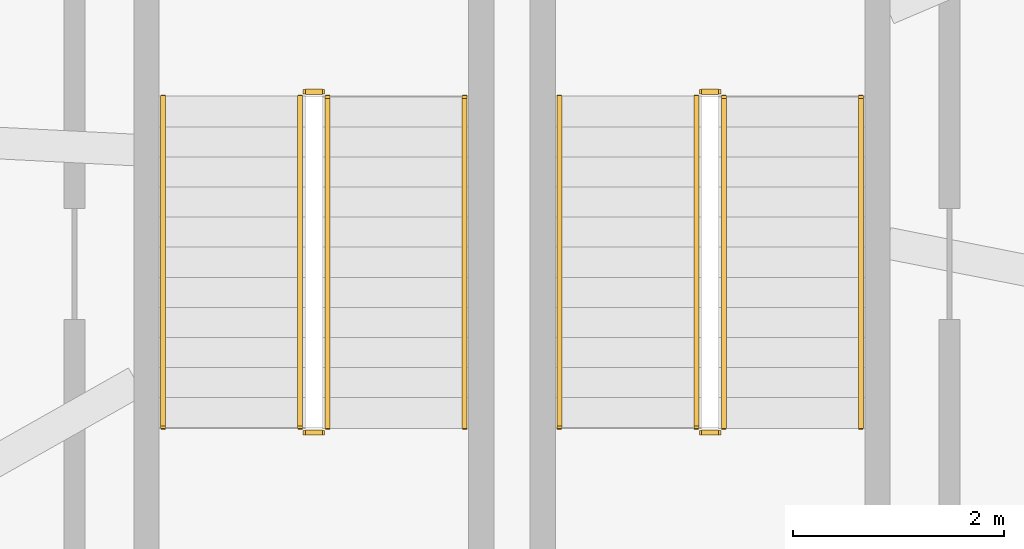
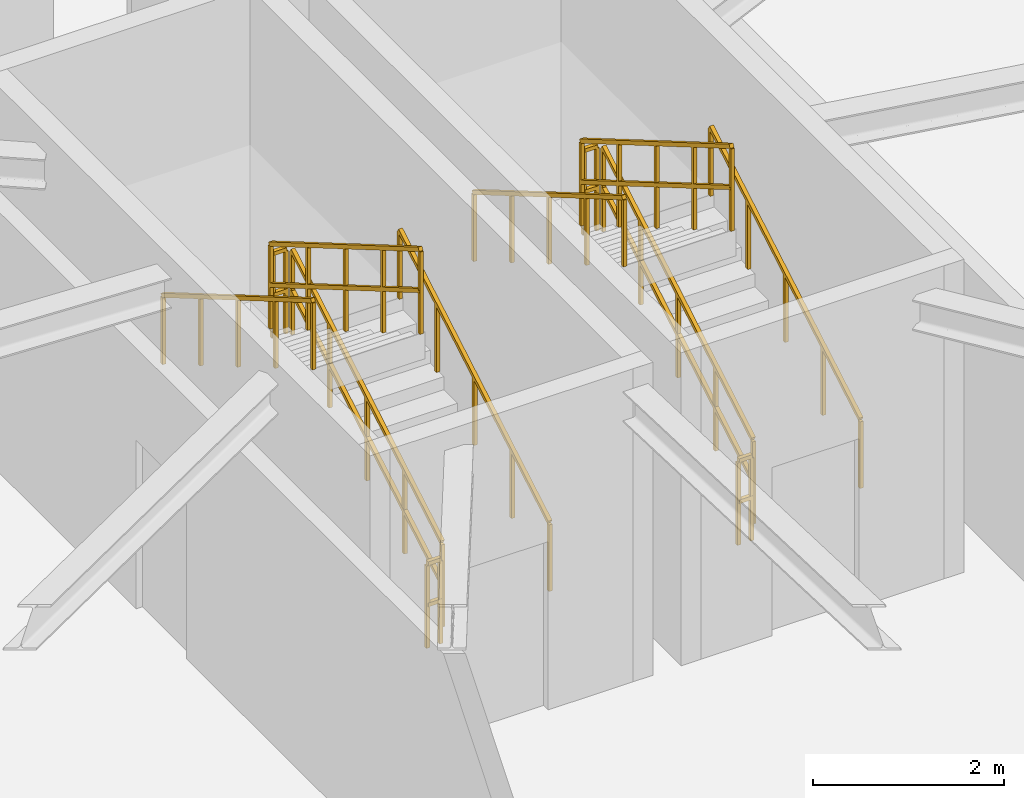
# One storey, part 11 of 11: 12 railings.
"""IFC4 building model written with IfcOpenShell, lengths in metres."""

from ifc_helpers import new_model, si_unit, direction, frame, origin, origin_2d, place, context, subcontext, project, spatial, rectangle, extrude, material, type_object, element, save


model = new_model("IFC4")

# Units and contexts
model_context = context("Model", 3, precision=1e-05, world=origin(), true_north=direction((0.0, 1.0)))
body_context = subcontext(model_context, "Body", "Model", "MODEL_VIEW")
ifc_project = project(units=[si_unit("LENGTHUNIT", "METRE"), si_unit("AREAUNIT", "SQUARE_METRE"), si_unit("VOLUMEUNIT", "CUBIC_METRE"), si_unit("PLANEANGLEUNIT", "RADIAN"), si_unit("MASSUNIT", "GRAM", prefix="KILO"), si_unit("THERMODYNAMICTEMPERATUREUNIT", "KELVIN"), si_unit("POWERUNIT", "WATT")], contexts=[model_context])

# Site, building, storey
site_placement = place(None, origin())
site = spatial("IfcSite", under=ifc_project, at=site_placement, CompositionType="ELEMENT")
building_placement = place(site_placement, origin())
building = spatial("IfcBuilding", under=site, at=building_placement, Name="Ocrelia Relay Tower", CompositionType="ELEMENT")
storey_placement = place(building_placement, frame((0.0, 0.0, 292.0)))
storey = spatial("IfcBuildingStorey", under=building, at=storey_placement, Name="L73", CompositionType="ELEMENT", Elevation=292.0)

# Railings
ifc_material_1 = material(Name="Steel S355 balustrade", Category="steel")
railing_type_1 = type_object("IfcRailingType", Name="RL-STAIR-GUARD", PredefinedType="GUARDRAIL", material=ifc_material_1)
railing_1_placement = place(storey_placement, frame((32.25, 20.64990234375, 0.166748046875)))
element("IfcRailing", 1, at=railing_1_placement, inside=storey, type_object=railing_type_1, Name="L73 ST4 stair guard 1", PredefinedType="GUARDRAIL", context=body_context, shape_type="SweptSolid", body=[
    extrude(rectangle(XDim=0.048095703125, YDim=0.048095703125, at=origin_2d()), frame((0.0, 0.0, 1.076171875), z_axis=(0.0, 0.863239559939, 0.504794475164), x_axis=(-1.0, 0.0, 0.0)), (0.0, 0.0, 1.0), 3.631591796875),
    extrude(rectangle(XDim=0.048095703125, YDim=0.048095703125, at=origin_2d()), frame((0.0, 0.0, 0.550048828125), z_axis=(0.0, 0.863239559939, 0.504794475164), x_axis=(-1.0, 0.0, 0.0)), (0.0, 0.0, 1.0), 3.631591796875),
    extrude(rectangle(XDim=0.0419921875, YDim=0.0419921875, at=origin_2d()), origin(), (0.0, 0.0, 1.0), 1.052001953125),
    extrude(rectangle(XDim=0.0419921875, YDim=0.0419921875, at=origin_2d()), frame((0.0, 0.78369140625, 0.458251953125)), (0.0, 0.0, 1.0), 1.052001953125),
    extrude(rectangle(XDim=0.0419921875, YDim=0.0419921875, at=origin_2d()), frame((0.0, 1.5673828125, 0.91650390625)), (0.0, 0.0, 1.0), 1.052001953125),
    extrude(rectangle(XDim=0.0419921875, YDim=0.0419921875, at=origin_2d()), frame((0.0, 2.351318359375, 1.375)), (0.0, 0.0, 1.0), 1.052001953125),
    extrude(rectangle(XDim=0.0419921875, YDim=0.0419921875, at=origin_2d()), frame((0.0, 3.135009765625, 1.833251953125)), (0.0, 0.0, 1.0), 1.052001953125),
])
railing_2_placement = place(storey_placement, frame((32.199951171875, 23.8349609375, 2.0)))
element("IfcRailing", 2, at=railing_2_placement, inside=storey, type_object=railing_type_1, Name="L73 ST4 stair guard 2", PredefinedType="GUARDRAIL", context=body_context, shape_type="SweptSolid", body=[
    extrude(rectangle(XDim=0.048095703125, YDim=0.048095703125, at=origin_2d()), frame((0.0, 0.0, 1.076171875), z_axis=(-1.0, 0.0, 0.0), x_axis=(0.0, -1.0, 0.0)), (0.0, 0.0, 1.0), 0.159912109375),
    extrude(rectangle(XDim=0.048095703125, YDim=0.048095703125, at=origin_2d()), frame((0.0, 0.0, 0.550048828125), z_axis=(-1.0, 0.0, 0.0), x_axis=(0.0, -1.0, 0.0)), (0.0, 0.0, 1.0), 0.159912109375),
    extrude(rectangle(XDim=0.0419921875, YDim=0.0419921875, at=origin_2d()), origin(), (0.0, 0.0, 1.0), 1.052001953125),
    extrude(rectangle(XDim=0.0419921875, YDim=0.0419921875, at=origin_2d()), frame((-0.159912109375, 0.0, 0.0)), (0.0, 0.0, 1.0), 1.052001953125),
])
railing_3_placement = place(storey_placement, frame((31.989990234375, 23.784912109375, 2.166748046875)))
element("IfcRailing", 3, at=railing_3_placement, inside=storey, type_object=railing_type_1, Name="L73 ST4 stair guard 3", PredefinedType="GUARDRAIL", context=body_context, shape_type="SweptSolid", body=[
    extrude(rectangle(XDim=0.048095703125, YDim=0.048095703125, at=origin_2d()), frame((0.0, 0.0, 1.076171875), z_axis=(0.0, -0.863239559939, 0.504794475164), x_axis=(1.0, 0.0, 0.0)), (0.0, 0.0, 1.0), 3.631591796875),
    extrude(rectangle(XDim=0.048095703125, YDim=0.048095703125, at=origin_2d()), frame((0.0, 0.0, 0.550048828125), z_axis=(0.0, -0.863239559939, 0.504794475164), x_axis=(1.0, 0.0, 0.0)), (0.0, 0.0, 1.0), 3.631591796875),
    extrude(rectangle(XDim=0.0419921875, YDim=0.0419921875, at=origin_2d()), origin(), (0.0, 0.0, 1.0), 1.052001953125),
    extrude(rectangle(XDim=0.0419921875, YDim=0.0419921875, at=origin_2d()), frame((0.0, -0.78369140625, 0.458251953125)), (0.0, 0.0, 1.0), 1.052001953125),
    extrude(rectangle(XDim=0.0419921875, YDim=0.0419921875, at=origin_2d()), frame((0.0, -1.5673828125, 0.91650390625)), (0.0, 0.0, 1.0), 1.052001953125),
    extrude(rectangle(XDim=0.0419921875, YDim=0.0419921875, at=origin_2d()), frame((0.0, -2.351318359375, 1.375)), (0.0, 0.0, 1.0), 1.052001953125),
    extrude(rectangle(XDim=0.0419921875, YDim=0.0419921875, at=origin_2d()), frame((0.0, -3.135009765625, 1.833251953125)), (0.0, 0.0, 1.0), 1.052001953125),
])
railing_4_placement = place(storey_placement, frame((32.199951171875, 20.60009765625, 0.0)))
element("IfcRailing", 4, at=railing_4_placement, inside=storey, type_object=railing_type_1, Name="L73 ST4 stair guard 4", PredefinedType="GUARDRAIL", context=body_context, shape_type="SweptSolid", body=[
    extrude(rectangle(XDim=0.048095703125, YDim=0.048095703125, at=origin_2d()), frame((0.0, 0.0, 1.076171875), z_axis=(-1.0, 0.0, 0.0), x_axis=(0.0, -1.0, 0.0)), (0.0, 0.0, 1.0), 0.159912109375),
    extrude(rectangle(XDim=0.048095703125, YDim=0.048095703125, at=origin_2d()), frame((0.0, 0.0, 0.550048828125), z_axis=(-1.0, 0.0, 0.0), x_axis=(0.0, -1.0, 0.0)), (0.0, 0.0, 1.0), 0.159912109375),
    extrude(rectangle(XDim=0.0419921875, YDim=0.0419921875, at=origin_2d()), origin(), (0.0, 0.0, 1.0), 1.052001953125),
    extrude(rectangle(XDim=0.0419921875, YDim=0.0419921875, at=origin_2d()), frame((-0.159912109375, 0.0, 0.0)), (0.0, 0.0, 1.0), 1.052001953125),
])
railing_5_placement = place(storey_placement, frame((36.010009765625, 20.64990234375, 0.166748046875)))
element("IfcRailing", 5, at=railing_5_placement, inside=storey, type_object=railing_type_1, Name="L73 ST5 stair guard 1", PredefinedType="GUARDRAIL", context=body_context, shape_type="SweptSolid", body=[
    extrude(rectangle(XDim=0.048095703125, YDim=0.048095703125, at=origin_2d()), frame((0.0, 0.0, 1.076171875), z_axis=(0.0, 0.863239559939, 0.504794475164), x_axis=(-1.0, 0.0, 0.0)), (0.0, 0.0, 1.0), 3.631591796875),
    extrude(rectangle(XDim=0.048095703125, YDim=0.048095703125, at=origin_2d()), frame((0.0, 0.0, 0.550048828125), z_axis=(0.0, 0.863239559939, 0.504794475164), x_axis=(-1.0, 0.0, 0.0)), (0.0, 0.0, 1.0), 3.631591796875),
    extrude(rectangle(XDim=0.0419921875, YDim=0.0419921875, at=origin_2d()), origin(), (0.0, 0.0, 1.0), 1.052001953125),
    extrude(rectangle(XDim=0.0419921875, YDim=0.0419921875, at=origin_2d()), frame((0.0, 0.78369140625, 0.458251953125)), (0.0, 0.0, 1.0), 1.052001953125),
    extrude(rectangle(XDim=0.0419921875, YDim=0.0419921875, at=origin_2d()), frame((0.0, 1.5673828125, 0.91650390625)), (0.0, 0.0, 1.0), 1.052001953125),
    extrude(rectangle(XDim=0.0419921875, YDim=0.0419921875, at=origin_2d()), frame((0.0, 2.351318359375, 1.375)), (0.0, 0.0, 1.0), 1.052001953125),
    extrude(rectangle(XDim=0.0419921875, YDim=0.0419921875, at=origin_2d()), frame((0.0, 3.135009765625, 1.833251953125)), (0.0, 0.0, 1.0), 1.052001953125),
])
railing_6_placement = place(storey_placement, frame((35.9599609375, 23.8349609375, 2.0)))
element("IfcRailing", 6, at=railing_6_placement, inside=storey, type_object=railing_type_1, Name="L73 ST5 stair guard 2", PredefinedType="GUARDRAIL", context=body_context, shape_type="SweptSolid", body=[
    extrude(rectangle(XDim=0.048095703125, YDim=0.048095703125, at=origin_2d()), frame((0.0, 0.0, 1.076171875), z_axis=(-1.0, 0.0, 0.0), x_axis=(0.0, -1.0, 0.0)), (0.0, 0.0, 1.0), 0.159912109375),
    extrude(rectangle(XDim=0.048095703125, YDim=0.048095703125, at=origin_2d()), frame((0.0, 0.0, 0.550048828125), z_axis=(-1.0, 0.0, 0.0), x_axis=(0.0, -1.0, 0.0)), (0.0, 0.0, 1.0), 0.159912109375),
    extrude(rectangle(XDim=0.0419921875, YDim=0.0419921875, at=origin_2d()), origin(), (0.0, 0.0, 1.0), 1.052001953125),
    extrude(rectangle(XDim=0.0419921875, YDim=0.0419921875, at=origin_2d()), frame((-0.159912109375, 0.0, 0.0)), (0.0, 0.0, 1.0), 1.052001953125),
])
railing_7_placement = place(storey_placement, frame((35.75, 23.784912109375, 2.166748046875)))
element("IfcRailing", 7, at=railing_7_placement, inside=storey, type_object=railing_type_1, Name="L73 ST5 stair guard 3", PredefinedType="GUARDRAIL", context=body_context, shape_type="SweptSolid", body=[
    extrude(rectangle(XDim=0.048095703125, YDim=0.048095703125, at=origin_2d()), frame((0.0, 0.0, 1.076171875), z_axis=(0.0, -0.863239559939, 0.504794475164), x_axis=(1.0, 0.0, 0.0)), (0.0, 0.0, 1.0), 3.631591796875),
    extrude(rectangle(XDim=0.048095703125, YDim=0.048095703125, at=origin_2d()), frame((0.0, 0.0, 0.550048828125), z_axis=(0.0, -0.863239559939, 0.504794475164), x_axis=(1.0, 0.0, 0.0)), (0.0, 0.0, 1.0), 3.631591796875),
    extrude(rectangle(XDim=0.0419921875, YDim=0.0419921875, at=origin_2d()), origin(), (0.0, 0.0, 1.0), 1.052001953125),
    extrude(rectangle(XDim=0.0419921875, YDim=0.0419921875, at=origin_2d()), frame((0.0, -0.78369140625, 0.458251953125)), (0.0, 0.0, 1.0), 1.052001953125),
    extrude(rectangle(XDim=0.0419921875, YDim=0.0419921875, at=origin_2d()), frame((0.0, -1.5673828125, 0.91650390625)), (0.0, 0.0, 1.0), 1.052001953125),
    extrude(rectangle(XDim=0.0419921875, YDim=0.0419921875, at=origin_2d()), frame((0.0, -2.351318359375, 1.375)), (0.0, 0.0, 1.0), 1.052001953125),
    extrude(rectangle(XDim=0.0419921875, YDim=0.0419921875, at=origin_2d()), frame((0.0, -3.135009765625, 1.833251953125)), (0.0, 0.0, 1.0), 1.052001953125),
])
railing_8_placement = place(storey_placement, frame((35.9599609375, 20.60009765625, 0.0)))
element("IfcRailing", 8, at=railing_8_placement, inside=storey, type_object=railing_type_1, Name="L73 ST5 stair guard 4", PredefinedType="GUARDRAIL", context=body_context, shape_type="SweptSolid", body=[
    extrude(rectangle(XDim=0.048095703125, YDim=0.048095703125, at=origin_2d()), frame((0.0, 0.0, 1.076171875), z_axis=(-1.0, 0.0, 0.0), x_axis=(0.0, -1.0, 0.0)), (0.0, 0.0, 1.0), 0.159912109375),
    extrude(rectangle(XDim=0.048095703125, YDim=0.048095703125, at=origin_2d()), frame((0.0, 0.0, 0.550048828125), z_axis=(-1.0, 0.0, 0.0), x_axis=(0.0, -1.0, 0.0)), (0.0, 0.0, 1.0), 0.159912109375),
    extrude(rectangle(XDim=0.0419921875, YDim=0.0419921875, at=origin_2d()), origin(), (0.0, 0.0, 1.0), 1.052001953125),
    extrude(rectangle(XDim=0.0419921875, YDim=0.0419921875, at=origin_2d()), frame((-0.159912109375, 0.0, 0.0)), (0.0, 0.0, 1.0), 1.052001953125),
])
ifc_material_2 = material(Name="Steel S355 tubular handrail", Category="steel")
railing_type_2 = type_object("IfcRailingType", Name="RL-STAIR-HAND", PredefinedType="HANDRAIL", material=ifc_material_2)
railing_9_placement = place(storey_placement, frame((33.550048828125, 20.64990234375, 0.166748046875)))
element("IfcRailing", 9, at=railing_9_placement, inside=storey, type_object=railing_type_2, Name="L73 ST4 stair handrail 1", PredefinedType="HANDRAIL", context=body_context, shape_type="SweptSolid", body=[
    extrude(rectangle(XDim=0.048095703125, YDim=0.048095703125, at=origin_2d()), frame((0.0, 0.0, 0.8759765625), z_axis=(0.0, 0.863239559939, 0.504794475164), x_axis=(-1.0, 0.0, 0.0)), (0.0, 0.0, 1.0), 3.631591796875),
    extrude(rectangle(XDim=0.0419921875, YDim=0.0419921875, at=origin_2d()), origin(), (0.0, 0.0, 1.0), 0.851806640625),
    extrude(rectangle(XDim=0.0419921875, YDim=0.0419921875, at=origin_2d()), frame((0.0, 0.78369140625, 0.458251953125)), (0.0, 0.0, 1.0), 0.851806640625),
    extrude(rectangle(XDim=0.0419921875, YDim=0.0419921875, at=origin_2d()), frame((0.0, 1.5673828125, 0.91650390625)), (0.0, 0.0, 1.0), 0.851806640625),
    extrude(rectangle(XDim=0.0419921875, YDim=0.0419921875, at=origin_2d()), frame((0.0, 2.351318359375, 1.375)), (0.0, 0.0, 1.0), 0.851806640625),
    extrude(rectangle(XDim=0.0419921875, YDim=0.0419921875, at=origin_2d()), frame((0.0, 3.135009765625, 1.833251953125)), (0.0, 0.0, 1.0), 0.851806640625),
])
railing_10_placement = place(storey_placement, frame((30.68994140625, 23.784912109375, 2.166748046875)))
element("IfcRailing", 10, at=railing_10_placement, inside=storey, type_object=railing_type_2, Name="L73 ST4 stair handrail 2", PredefinedType="HANDRAIL", context=body_context, shape_type="SweptSolid", body=[
    extrude(rectangle(XDim=0.048095703125, YDim=0.048095703125, at=origin_2d()), frame((0.0, 0.0, 0.8759765625), z_axis=(0.0, -0.863239559939, 0.504794475164), x_axis=(1.0, 0.0, 0.0)), (0.0, 0.0, 1.0), 3.631591796875),
    extrude(rectangle(XDim=0.0419921875, YDim=0.0419921875, at=origin_2d()), origin(), (0.0, 0.0, 1.0), 0.851806640625),
    extrude(rectangle(XDim=0.0419921875, YDim=0.0419921875, at=origin_2d()), frame((0.0, -0.78369140625, 0.458251953125)), (0.0, 0.0, 1.0), 0.851806640625),
    extrude(rectangle(XDim=0.0419921875, YDim=0.0419921875, at=origin_2d()), frame((0.0, -1.5673828125, 0.91650390625)), (0.0, 0.0, 1.0), 0.851806640625),
    extrude(rectangle(XDim=0.0419921875, YDim=0.0419921875, at=origin_2d()), frame((0.0, -2.351318359375, 1.375)), (0.0, 0.0, 1.0), 0.851806640625),
    extrude(rectangle(XDim=0.0419921875, YDim=0.0419921875, at=origin_2d()), frame((0.0, -3.135009765625, 1.833251953125)), (0.0, 0.0, 1.0), 0.851806640625),
])
railing_11_placement = place(storey_placement, frame((37.31005859375, 20.64990234375, 0.166748046875)))
element("IfcRailing", 11, at=railing_11_placement, inside=storey, type_object=railing_type_2, Name="L73 ST5 stair handrail 1", PredefinedType="HANDRAIL", context=body_context, shape_type="SweptSolid", body=[
    extrude(rectangle(XDim=0.048095703125, YDim=0.048095703125, at=origin_2d()), frame((0.0, 0.0, 0.8759765625), z_axis=(0.0, 0.863239559939, 0.504794475164), x_axis=(-1.0, 0.0, 0.0)), (0.0, 0.0, 1.0), 3.631591796875),
    extrude(rectangle(XDim=0.0419921875, YDim=0.0419921875, at=origin_2d()), origin(), (0.0, 0.0, 1.0), 0.851806640625),
    extrude(rectangle(XDim=0.0419921875, YDim=0.0419921875, at=origin_2d()), frame((0.0, 0.78369140625, 0.458251953125)), (0.0, 0.0, 1.0), 0.851806640625),
    extrude(rectangle(XDim=0.0419921875, YDim=0.0419921875, at=origin_2d()), frame((0.0, 1.5673828125, 0.91650390625)), (0.0, 0.0, 1.0), 0.851806640625),
    extrude(rectangle(XDim=0.0419921875, YDim=0.0419921875, at=origin_2d()), frame((0.0, 2.351318359375, 1.375)), (0.0, 0.0, 1.0), 0.851806640625),
    extrude(rectangle(XDim=0.0419921875, YDim=0.0419921875, at=origin_2d()), frame((0.0, 3.135009765625, 1.833251953125)), (0.0, 0.0, 1.0), 0.851806640625),
])
railing_12_placement = place(storey_placement, frame((34.449951171875, 23.784912109375, 2.166748046875)))
element("IfcRailing", 12, at=railing_12_placement, inside=storey, type_object=railing_type_2, Name="L73 ST5 stair handrail 2", PredefinedType="HANDRAIL", context=body_context, shape_type="SweptSolid", body=[
    extrude(rectangle(XDim=0.048095703125, YDim=0.048095703125, at=origin_2d()), frame((0.0, 0.0, 0.8759765625), z_axis=(0.0, -0.863239559939, 0.504794475164), x_axis=(1.0, 0.0, 0.0)), (0.0, 0.0, 1.0), 3.631591796875),
    extrude(rectangle(XDim=0.0419921875, YDim=0.0419921875, at=origin_2d()), origin(), (0.0, 0.0, 1.0), 0.851806640625),
    extrude(rectangle(XDim=0.0419921875, YDim=0.0419921875, at=origin_2d()), frame((0.0, -0.78369140625, 0.458251953125)), (0.0, 0.0, 1.0), 0.851806640625),
    extrude(rectangle(XDim=0.0419921875, YDim=0.0419921875, at=origin_2d()), frame((0.0, -1.5673828125, 0.91650390625)), (0.0, 0.0, 1.0), 0.851806640625),
    extrude(rectangle(XDim=0.0419921875, YDim=0.0419921875, at=origin_2d()), frame((0.0, -2.351318359375, 1.375)), (0.0, 0.0, 1.0), 0.851806640625),
    extrude(rectangle(XDim=0.0419921875, YDim=0.0419921875, at=origin_2d()), frame((0.0, -3.135009765625, 1.833251953125)), (0.0, 0.0, 1.0), 0.851806640625),
])

save(model, "model.ifc")
